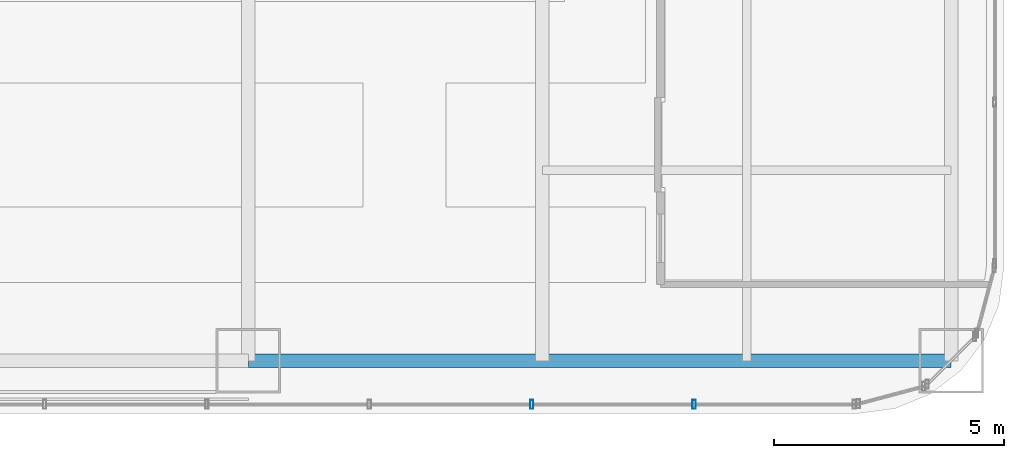
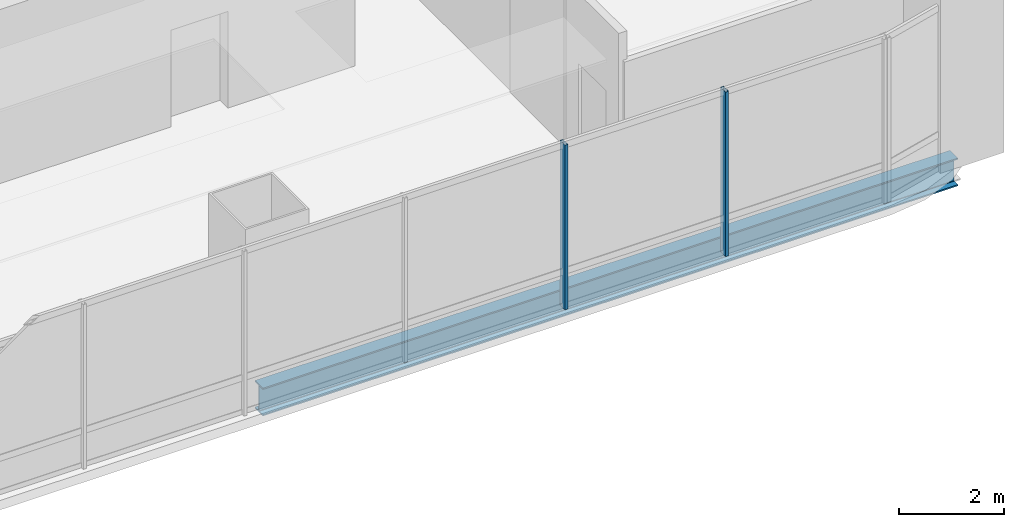
# One storey, part 14 of 38: 2 members, 1 beam, 1 element without a shape of its own.
"""IFC4 building model written with IfcOpenShell, lengths in metres."""

from ifc_helpers import new_model, si_unit, direction, frame, origin, origin_2d, place, context, subcontext, project, spatial, hollow_rectangle, i_section, extrude, material, material_profile, profile_set, type_object, element, aggregate, save


model = new_model("IFC4")

# Units and contexts
model_context = context("Model", 3, precision=1e-05, world=origin(), true_north=direction((0.0, 1.0)))
body_context = subcontext(model_context, "Body", "Model", "MODEL_VIEW")
ifc_project = project(units=[si_unit("LENGTHUNIT", "METRE"), si_unit("AREAUNIT", "SQUARE_METRE"), si_unit("VOLUMEUNIT", "CUBIC_METRE"), si_unit("PLANEANGLEUNIT", "RADIAN"), si_unit("MASSUNIT", "GRAM", prefix="KILO")], contexts=[model_context])

# Site, building, storey
site_placement = place(None, origin())
site = spatial("IfcSite", under=ifc_project, at=site_placement, CompositionType="ELEMENT")
building_placement = place(site_placement, origin())
building = spatial("IfcBuilding", under=site, at=building_placement, Name="Punatoya Terracotta Tower", CompositionType="ELEMENT")
storey_placement = place(building_placement, frame((0.0, 0.0, 147.89990234375)))
storey = spatial("IfcBuildingStorey", under=building, at=storey_placement, Name="L34", CompositionType="ELEMENT", Elevation=147.89990234375)

# Beam
ifc_material_1 = material(Name="Steel S355", Category="steel")
ifc_material_profile_1 = material_profile(ifc_material_1, i_section(OverallWidth=0.300048828125, OverallDepth=0.64990234375, WebThickness=0.01611328125, FlangeThickness=0.031005859375, FilletRadius=0.01806640625, at=origin_2d()))
ifc_profile_set_1 = profile_set([ifc_material_profile_1], Name="Steel S355")
beam_type = type_object("IfcBeamType", Name="BM-PRI-650", PredefinedType="BEAM", material=ifc_profile_set_1)
beam_placement = place(storey_placement, frame((3.800048828125, -17.5, -0.544921875), z_axis=(1.0, 0.0, 0.0), x_axis=(0.0, 1.0, 0.0)))
element("IfcBeam", 1, at=beam_placement, inside=storey, type_object=beam_type, Name="BM-L34-RG-S3", PredefinedType="BEAM", context=body_context, shape_type="SweptSolid", body=[
    extrude(i_section(OverallWidth=0.300048828125, OverallDepth=0.64990234375, WebThickness=0.01611328125, FlangeThickness=0.031005859375, FilletRadius=0.01806640625, at=origin_2d()), origin(), (0.0, 0.0, 1.0), 15.300048828125),
])

# Curtain wall, members
ifc_material_2 = material(Name="Aluminium 6063-T6 + Double Low-E Glass", Category="aluminium")
curtain_wall_type = type_object("IfcCurtainWallType", Name="CW-M2", PredefinedType="NOTDEFINED", material=ifc_material_2)
curtain_wall_placement = place(storey_placement, origin())
curtain_wall = element("IfcCurtainWall", 2, at=curtain_wall_placement, inside=storey, type_object=curtain_wall_type, Name="L34 Curtain Wall CW-L34-S01-1", PredefinedType="NOTDEFINED")
ifc_material_3 = material(Name="Aluminium 6063-T6", Category="aluminium")
ifc_material_profile_2 = material_profile(ifc_material_3, hollow_rectangle(XDim=0.072021484375, YDim=0.195068359375, WallThickness=0.00439453125, at=origin_2d()))
ifc_profile_set_2 = profile_set([ifc_material_profile_2], Name="Aluminium 6063-T6")
member_type = type_object("IfcMemberType", Name="CW-MUL-M2", PredefinedType="MULLION", material=ifc_profile_set_2)
member_1_placement = place(storey_placement, frame((9.968994140625, -18.449951171875, 0.0), z_axis=(0.0, 0.0, 1.0), x_axis=(1.0, 0.0, 0.0)))
member_1 = element("IfcMember", 3, at=member_1_placement, type_object=member_type, Name="CW-L34-S01-1 Mullion 09", PredefinedType="MULLION", context=body_context, shape_type="SweptSolid", body=[
    extrude(hollow_rectangle(XDim=0.072021484375, YDim=0.195068359375, WallThickness=0.00439453125, at=origin_2d()), origin(), (0.0, 0.0, 1.0), 3.830078125),
])
member_2_placement = place(storey_placement, frame((13.5029296875, -18.449951171875, 0.0), z_axis=(0.0, 0.0, 1.0), x_axis=(1.0, 0.0, 0.0)))
member_2 = element("IfcMember", 4, at=member_2_placement, type_object=member_type, Name="CW-L34-S01-1 Mullion 10", PredefinedType="MULLION", context=body_context, shape_type="SweptSolid", body=[
    extrude(hollow_rectangle(XDim=0.072021484375, YDim=0.195068359375, WallThickness=0.00439453125, at=origin_2d()), origin(), (0.0, 0.0, 1.0), 3.830078125),
])
aggregate(curtain_wall, [member_1, member_2])

save(model, "model.ifc")
